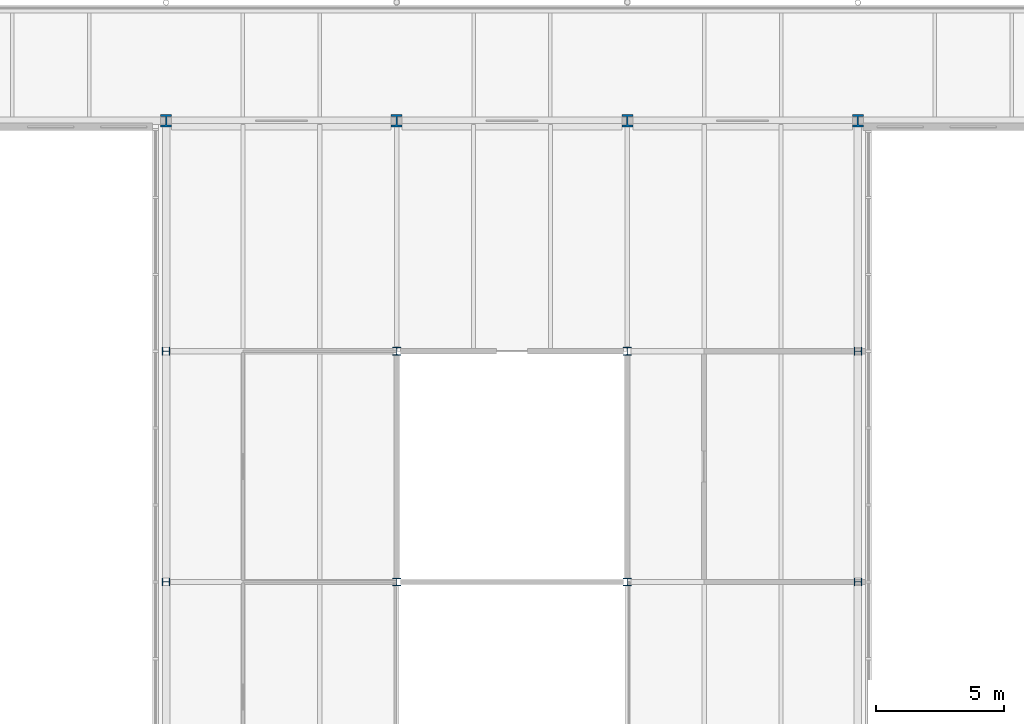
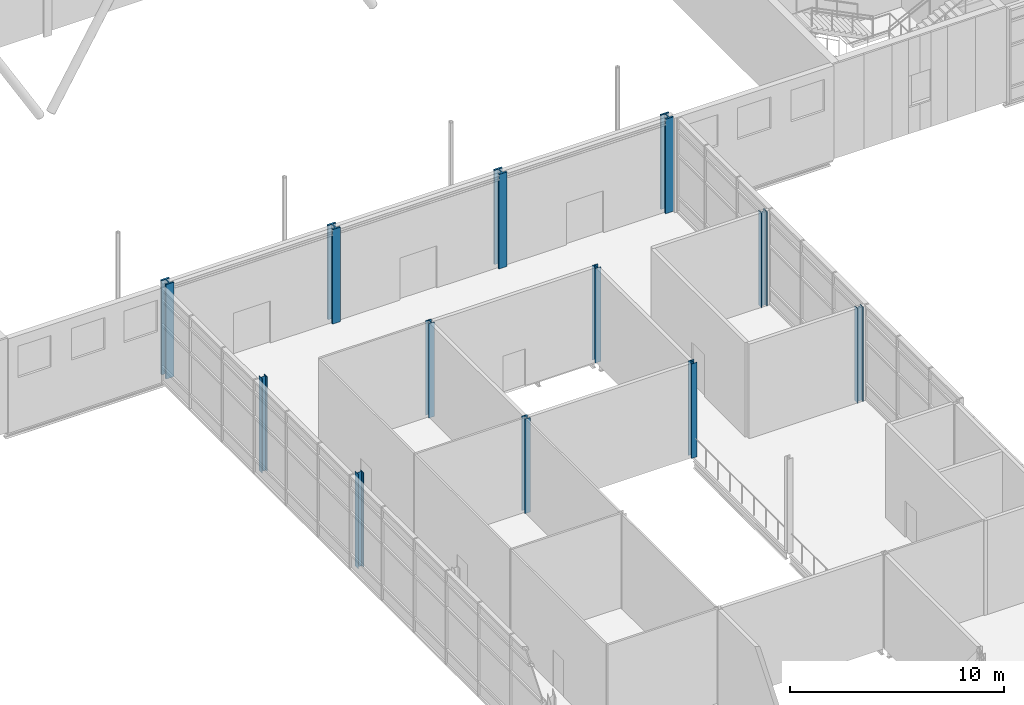
# One storey, part 4 of 46: 12 columns.
"""IFC4 building model written with IfcOpenShell, lengths in metres."""

from ifc_helpers import new_model, si_unit, direction, frame, origin, origin_2d, place, context, subcontext, project, spatial, i_section, extrude, material, material_profile, profile_set, type_object, element, save


model = new_model("IFC4")

# Units and contexts
model_context = context("Model", 3, precision=1e-05, world=origin(), true_north=direction((0.0, 1.0)))
body_context = subcontext(model_context, "Body", "Model", "MODEL_VIEW")
ifc_project = project(units=[si_unit("LENGTHUNIT", "METRE"), si_unit("AREAUNIT", "SQUARE_METRE"), si_unit("VOLUMEUNIT", "CUBIC_METRE"), si_unit("PLANEANGLEUNIT", "RADIAN"), si_unit("MASSUNIT", "GRAM", prefix="KILO")], contexts=[model_context])

# Site, building, storey
site_placement = place(None, origin())
site = spatial("IfcSite", under=ifc_project, at=site_placement, CompositionType="ELEMENT")
building_placement = place(site_placement, origin())
building = spatial("IfcBuilding", under=site, at=building_placement, Name="Azimuth Sports and Learning Centre", CompositionType="ELEMENT")
storey_placement = place(building_placement, frame((0.0, 0.0, 21.60009765625)))
storey = spatial("IfcBuildingStorey", under=building, at=storey_placement, Name="L04", CompositionType="ELEMENT", Elevation=21.60009765625)

# Columns
ifc_material_1 = material(Name="Steel S460", Category="steel")
ifc_material_profile_1 = material_profile(ifc_material_1, i_section(OverallWidth=0.431884765625, OverallDepth=0.498046875, WebThickness=0.0556640625, FlangeThickness=0.0888671875, FilletRadius=0.014892578125, at=origin_2d()), Name="HD 400x744")
ifc_profile_set_1 = profile_set([ifc_material_profile_1], Name="Steel S460")
column_type_1 = type_object("IfcColumnType", Name="Column HD 400x744", PredefinedType="COLUMN", material=ifc_profile_set_1)
for number, where, z_axis, x_axis, name in (
    (1, (72.0, 90.0, 0.0), (0.0, 0.0, 1.0), (1.0, 0.0, 0.0), "Column 9L L04"),
    (2, (81.0, 90.0, 0.0), (0.0, 0.0, 1.0), (1.0, 0.0, 0.0), "Column 10L L04"),
    (3, (90.0, 90.0, 0.0), (0.0, 0.0, 1.0), (1.0, 0.0, 0.0), "Column 11L L04"),
    (4, (99.0, 90.0, 0.0), (0.0, 0.0, 1.0), (1.0, 0.0, 0.0), "Column 12L L04"),
):
    element("IfcColumn", number, at=place(storey_placement, frame(where, z_axis=z_axis, x_axis=x_axis)), inside=storey, type_object=column_type_1, Name=name, PredefinedType="COLUMN", context=body_context, shape_type="SweptSolid", body=[
        extrude(i_section(OverallWidth=0.431884765625, OverallDepth=0.498046875, WebThickness=0.0556640625, FlangeThickness=0.0888671875, FilletRadius=0.014892578125, at=origin_2d()), origin(), (0.0, 0.0, 1.0), 5.39990234375),
    ])
ifc_material_2 = material(Name="Steel S355", Category="steel")
ifc_material_profile_2 = material_profile(ifc_material_2, i_section(OverallWidth=0.300048828125, OverallDepth=0.300048828125, WebThickness=0.010986328125, FlangeThickness=0.01904296875, FilletRadius=0.027099609375, at=origin_2d()), Name="HEB 300")
ifc_profile_set_2 = profile_set([ifc_material_profile_2], Name="Steel S355")
column_type_2 = type_object("IfcColumnType", Name="Column HEB 300", PredefinedType="COLUMN", material=ifc_profile_set_2)
for number, where, z_axis, x_axis, name in (
    (5, (72.0, 72.0, 0.0), (0.0, 0.0, 1.0), (0.0, 1.0, 0.0), "Column 9J L04"),
    (6, (81.0, 72.0, 0.0), (0.0, 0.0, 1.0), (1.0, 0.0, 0.0), "Column 10J L04"),
    (7, (90.0, 72.0, 0.0), (0.0, 0.0, 1.0), (1.0, 0.0, 0.0), "Column 11J L04"),
    (8, (99.0, 72.0, 0.0), (0.0, 0.0, 1.0), (0.0, 1.0, 0.0), "Column 12J L04"),
    (9, (72.0, 81.0, 0.0), (0.0, 0.0, 1.0), (0.0, 1.0, 0.0), "Column 9K L04"),
    (10, (81.0, 81.0, 0.0), (0.0, 0.0, 1.0), (1.0, 0.0, 0.0), "Column 10K L04"),
    (11, (90.0, 81.0, 0.0), (0.0, 0.0, 1.0), (1.0, 0.0, 0.0), "Column 11K L04"),
    (12, (99.0, 81.0, 0.0), (0.0, 0.0, 1.0), (0.0, 1.0, 0.0), "Column 12K L04"),
):
    element("IfcColumn", number, at=place(storey_placement, frame(where, z_axis=z_axis, x_axis=x_axis)), inside=storey, type_object=column_type_2, Name=name, PredefinedType="COLUMN", context=body_context, shape_type="SweptSolid", body=[
        extrude(i_section(OverallWidth=0.300048828125, OverallDepth=0.300048828125, WebThickness=0.010986328125, FlangeThickness=0.01904296875, FilletRadius=0.027099609375, at=origin_2d()), origin(), (0.0, 0.0, 1.0), 5.39990234375),
    ])

save(model, "model.ifc")
